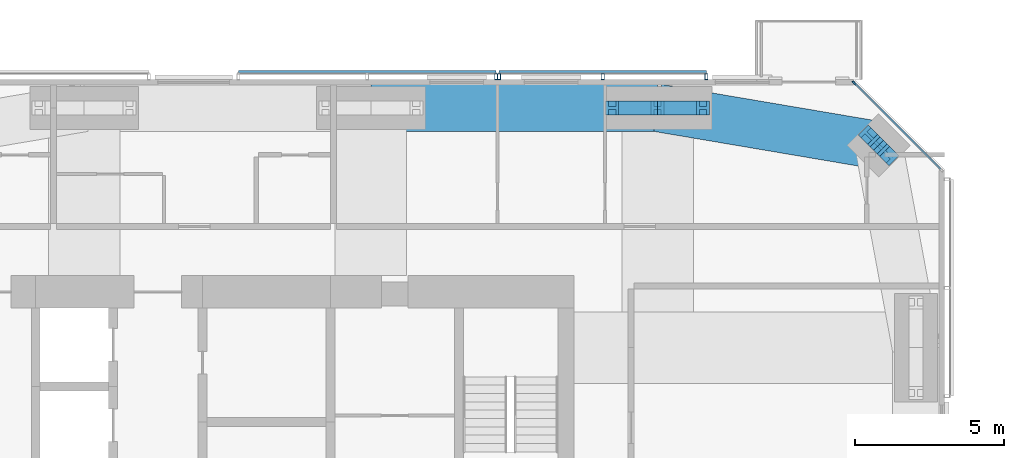
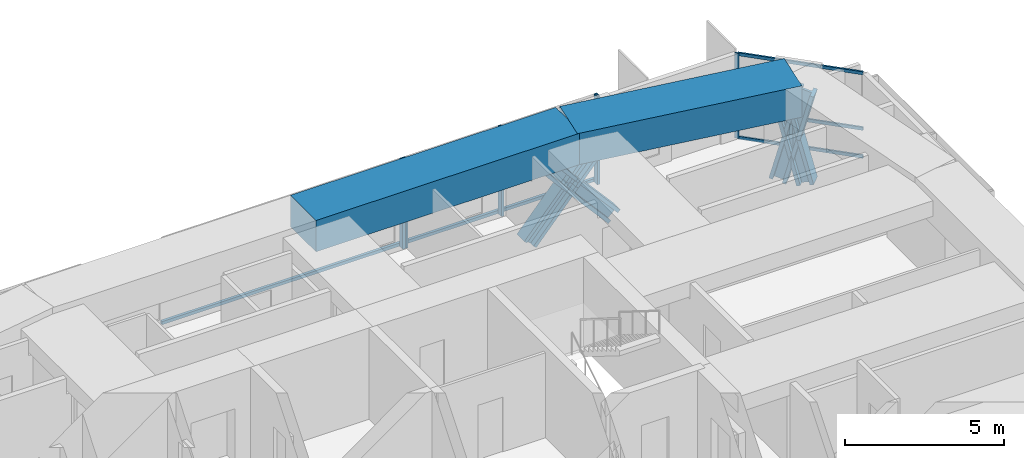
# One storey, part 10 of 18: 18 members, 2 beams, 3 elements without a shape of their own.
"""IFC4 building model written with IfcOpenShell, lengths in metres."""

from ifc_helpers import new_model, si_unit, direction, frame, origin, origin_2d, place, context, subcontext, project, spatial, rectangle, hollow_rectangle, i_section, extrude, material, material_profile, profile_set, type_object, element, aggregate, save


model = new_model("IFC4")

# Units and contexts
model_context = context("Model", 3, precision=1e-05, world=origin(), true_north=direction((0.0, 1.0)))
body_context = subcontext(model_context, "Body", "Model", "MODEL_VIEW")
ifc_project = project(units=[si_unit("LENGTHUNIT", "METRE"), si_unit("AREAUNIT", "SQUARE_METRE"), si_unit("VOLUMEUNIT", "CUBIC_METRE"), si_unit("PLANEANGLEUNIT", "RADIAN"), si_unit("MASSUNIT", "GRAM", prefix="KILO")], contexts=[model_context])

# Site, building, storey
site_placement = place(None, origin())
site = spatial("IfcSite", under=ifc_project, at=site_placement, CompositionType="ELEMENT")
building_placement = place(site_placement, origin())
building = spatial("IfcBuilding", under=site, at=building_placement, Name="Jalousie Tower", CompositionType="ELEMENT")
storey_placement = place(building_placement, frame((0.0, 0.0, 228.449951171875)))
storey = spatial("IfcBuildingStorey", under=building, at=storey_placement, Name="L62", CompositionType="ELEMENT", Elevation=228.449951171875)

# Curtain wall, members
ifc_material_1 = material(Name="Aluminium curtain wall", Category="aluminium")
curtain_wall_type_1 = type_object("IfcCurtainWallType", Name="CORNER WINDOW WALL", PredefinedType="USERDEFINED", material=ifc_material_1)
curtain_wall_1_placement = place(storey_placement, origin())
curtain_wall_1 = element("IfcCurtainWall", 1, at=curtain_wall_1_placement, inside=storey, type_object=curtain_wall_type_1, Name="Corner Window Wall L62 4", ObjectType="CORNER WINDOW WALL", PredefinedType="USERDEFINED")
ifc_material_2 = material(Name="Aluminium mullion", Category="aluminium")
ifc_material_profile_1 = material_profile(ifc_material_2, rectangle(XDim=0.06005859375, YDim=0.14990234375, at=origin_2d()), Name="MULLION 60x150")
ifc_profile_set_1 = profile_set([ifc_material_profile_1], Name="Aluminium mullion")
member_type_1 = type_object("IfcMemberType", Name="CORNER WINDOW WALL MULLION", PredefinedType="MULLION", material=ifc_profile_set_1)
member_1_placement = place(storey_placement, frame((53.469970703125, 33.891357421875, 0.0), z_axis=(0.0, 0.0, 1.0), x_axis=(-0.707106781187, -0.707106781187, 0.0)))
member_1 = element("IfcMember", 2, at=member_1_placement, type_object=member_type_1, Name="CW-C mullion 2", PredefinedType="MULLION", context=body_context, shape_type="SweptSolid", body=[
    extrude(rectangle(XDim=0.06005859375, YDim=0.14990234375, at=origin_2d()), origin(), (0.0, 0.0, 1.0), 3.260009765625),
])
ifc_material_3 = material(Name="Aluminium transom", Category="aluminium")
ifc_material_profile_2 = material_profile(ifc_material_3, rectangle(XDim=0.06005859375, YDim=0.1201171875, at=origin_2d()), Name="TRANSOM 60x120")
ifc_profile_set_2 = profile_set([ifc_material_profile_2], Name="Aluminium transom")
member_type_2 = type_object("IfcMemberType", Name="CORNER WINDOW WALL TRANSOM", PredefinedType="USERDEFINED", material=ifc_profile_set_2)
member_2_placement = place(storey_placement, frame((56.3701171875, 30.9912109375, 0.030029296875), z_axis=(-0.707106781187, 0.707106781187, 0.0), x_axis=(-0.707106781187, -0.707106781187, 0.0)))
member_2 = element("IfcMember", 3, at=member_2_placement, type_object=member_type_2, Name="CW-C transom 1.1", ObjectType="TRANSOM", PredefinedType="USERDEFINED", context=body_context, shape_type="SweptSolid", body=[
    extrude(rectangle(XDim=0.06005859375, YDim=0.1201171875, at=origin_2d()), origin(), (0.0, 0.0, 1.0), 4.0712890625),
])
member_3_placement = place(storey_placement, frame((56.3701171875, 30.9912109375, 1.10009765625), z_axis=(-0.707106781187, 0.707106781187, 0.0), x_axis=(-0.707106781187, -0.707106781187, 0.0)))
member_3 = element("IfcMember", 4, at=member_3_placement, type_object=member_type_2, Name="CW-C transom 1.2", ObjectType="TRANSOM", PredefinedType="USERDEFINED", context=body_context, shape_type="SweptSolid", body=[
    extrude(rectangle(XDim=0.06005859375, YDim=0.1201171875, at=origin_2d()), origin(), (0.0, 0.0, 1.0), 4.0712890625),
])
member_4_placement = place(storey_placement, frame((56.3701171875, 30.9912109375, 3.22998046875), z_axis=(-0.707106781187, 0.707106781187, 0.0), x_axis=(-0.707106781187, -0.707106781187, 0.0)))
member_4 = element("IfcMember", 5, at=member_4_placement, type_object=member_type_2, Name="CW-C transom 1.3", ObjectType="TRANSOM", PredefinedType="USERDEFINED", context=body_context, shape_type="SweptSolid", body=[
    extrude(rectangle(XDim=0.06005859375, YDim=0.1201171875, at=origin_2d()), origin(), (0.0, 0.0, 1.0), 4.0712890625),
])
aggregate(curtain_wall_1, [member_1, member_2, member_3, member_4])

# Members
ifc_material_4 = material(Name="Steel ASTM A992 Grade 50", Category="steel")
ifc_material_profile_3 = material_profile(ifc_material_4, i_section(OverallWidth=0.472412109375, OverallDepth=0.5791015625, WebThickness=0.094970703125, FlangeThickness=0.1298828125, at=origin_2d()), Name="W14X808")
ifc_profile_set_3 = profile_set([ifc_material_profile_3], Name="Steel ASTM A992 Grade 50")
member_type_3 = type_object("IfcMemberType", Name="PERIMETER BRACE W14X808", PredefinedType="BRACE", material=ifc_profile_set_3)
for number, where, z_axis, x_axis, name in (
    (6, (54.611083984375, 31.474609375, -0.599853515625), (-0.176051427143, 0.17618653952, 0.968485517854), (-0.707377963048, -0.706835495285, 0.0), "Perimeter brace 08 L62 part 1"),
    (7, (54.29296875, 31.79296875, 1.150146484375), (-0.17618653952, 0.176051427143, 0.968485517854), (-0.706835495285, -0.707377963048, 0.0), "Perimeter brace 08 L62 part 2"),
    (8, (53.974609375, 32.111083984375, -0.599853515625), (0.17618653952, -0.176051427143, 0.968485517854), (0.706835495285, 0.707377963048, 0.0), "Perimeter brace 08 L62 part 3"),
    (9, (54.29296875, 31.79296875, 1.150146484375), (0.176051427143, -0.17618653952, 0.968485517854), (0.707377963048, 0.706835495285, 0.0), "Perimeter brace 08 L62 part 4"),
):
    element("IfcMember", number, at=place(storey_placement, frame(where, z_axis=z_axis, x_axis=x_axis)), inside=storey, type_object=member_type_3, Name=name, PredefinedType="BRACE", context=body_context, shape_type="SweptSolid", body=[
        extrude(i_section(OverallWidth=0.472412109375, OverallDepth=0.5791015625, WebThickness=0.094970703125, FlangeThickness=0.1298828125, at=origin_2d()), origin(), (0.0, 0.0, 1.0), 1.806884765625),
    ])
for number, where, z_axis, x_axis, name in (
    (10, (45.35009765625, 33.050048828125, -0.599853515625), (0.65695436777, 0.0, 0.753930340726), (0.0, 1.0, 0.0), "Perimeter brace 09 L62 part 1"),
    (11, (46.875, 33.050048828125, 1.150146484375), (0.65695436777, 0.0, 0.753930340726), (0.0, 1.0, 0.0), "Perimeter brace 09 L62 part 2"),
    (12, (48.39990234375, 33.050048828125, -0.599853515625), (-0.65695436777, 0.0, 0.753930340726), (0.0, -1.0, 0.0), "Perimeter brace 09 L62 part 3"),
    (13, (46.875, 33.050048828125, 1.150146484375), (-0.65695436777, 0.0, 0.753930340726), (0.0, -1.0, 0.0), "Perimeter brace 09 L62 part 4"),
):
    element("IfcMember", number, at=place(storey_placement, frame(where, z_axis=z_axis, x_axis=x_axis)), inside=storey, type_object=member_type_3, Name=name, PredefinedType="BRACE", context=body_context, shape_type="SweptSolid", body=[
        extrude(i_section(OverallWidth=0.472412109375, OverallDepth=0.5791015625, WebThickness=0.094970703125, FlangeThickness=0.1298828125, at=origin_2d()), origin(), (0.0, 0.0, 1.0), 2.3212890625),
    ])

# Beams
ifc_material_5 = material(Name="Concrete f'c 40 MPa", Category="concrete")
ifc_material_profile_4 = material_profile(ifc_material_5, rectangle(XDim=1.60009765625, YDim=1.199951171875, at=origin_2d()), Name="RC 1600x1200")
ifc_profile_set_4 = profile_set([ifc_material_profile_4], Name="Concrete f'c 40 MPa")
beam_type = type_object("IfcBeamType", Name="RC BEAM 1600x1200", PredefinedType="BEAM", material=ifc_profile_set_4)
beam_1_placement = place(storey_placement, frame((54.29296875, 31.79296875, 2.900146484375), z_axis=(-0.985942997446, 0.167082033105, 0.0), x_axis=(-0.167082033105, -0.985942997446, 0.0)))
element("IfcBeam", 14, at=beam_1_placement, inside=storey, type_object=beam_type, Name="Edge band beam 08-09 under L63", PredefinedType="BEAM", context=body_context, shape_type="SweptSolid", body=[
    extrude(rectangle(XDim=1.60009765625, YDim=1.199951171875, at=origin_2d()), origin(), (0.0, 0.0, 1.0), 7.523681640625),
])
beam_2_placement = place(storey_placement, frame((46.875, 33.050048828125, 2.900146484375), z_axis=(-1.0, 0.0, 0.0), x_axis=(0.0, -1.0, 0.0)))
element("IfcBeam", 15, at=beam_2_placement, inside=storey, type_object=beam_type, Name="Edge band beam 09-10 under L63", PredefinedType="BEAM", context=body_context, shape_type="SweptSolid", body=[
    extrude(rectangle(XDim=1.60009765625, YDim=1.199951171875, at=origin_2d()), origin(), (0.0, 0.0, 1.0), 9.625),
])

# Curtain wall, members
ifc_material_6 = material(Name="Perforated aluminium sheet", Category="aluminium")
curtain_wall_type_2 = type_object("IfcCurtainWallType", Name="SOLAR SCREEN SS-2", PredefinedType="USERDEFINED", material=ifc_material_6)
curtain_wall_2_placement = place(storey_placement, origin())
curtain_wall_2 = element("IfcCurtainWall", 16, at=curtain_wall_2_placement, inside=storey, type_object=curtain_wall_type_2, Name="Solar screen L62", ObjectType="SOLAR SCREEN SS-2", PredefinedType="USERDEFINED")
ifc_material_7 = material(Name="Steel ASTM A500 Grade C", Category="steel")
ifc_material_profile_5 = material_profile(ifc_material_7, hollow_rectangle(XDim=0.1015625, YDim=0.203125, WallThickness=0.0078125, at=origin_2d()), Name="HSS8X4X5/16")
ifc_profile_set_5 = profile_set([ifc_material_profile_5], Name="Steel ASTM A500 Grade C")
member_type_4 = type_object("IfcMemberType", Name="SOLAR SCREEN SS-2 MULLION", PredefinedType="MULLION", material=ifc_profile_set_5)
member_5_placement = place(storey_placement, frame((48.513427734375, 34.0966796875, -0.119873046875), z_axis=(0.0, 0.0, 1.0), x_axis=(-1.0, 0.0, 0.0)))
member_5 = element("IfcMember", 17, at=member_5_placement, type_object=member_type_4, Name="SS2 post 1", PredefinedType="MULLION", context=body_context, shape_type="SweptSolid", body=[
    extrude(hollow_rectangle(XDim=0.1015625, YDim=0.203125, WallThickness=0.0078125, at=origin_2d()), origin(), (0.0, 0.0, 1.0), 3.3798828125),
])
member_6_placement = place(storey_placement, frame((45.03173828125, 34.0966796875, -0.119873046875), z_axis=(0.0, 0.0, 1.0), x_axis=(-1.0, 0.0, 0.0)))
member_6 = element("IfcMember", 18, at=member_6_placement, type_object=member_type_4, Name="SS2 post 2", PredefinedType="MULLION", context=body_context, shape_type="SweptSolid", body=[
    extrude(hollow_rectangle(XDim=0.1015625, YDim=0.203125, WallThickness=0.0078125, at=origin_2d()), origin(), (0.0, 0.0, 1.0), 3.3798828125),
])
member_7_placement = place(storey_placement, frame((41.550048828125, 34.0966796875, -0.119873046875), z_axis=(0.0, 0.0, 1.0), x_axis=(-1.0, 0.0, 0.0)))
member_7 = element("IfcMember", 19, at=member_7_placement, type_object=member_type_4, Name="SS2 post 3", PredefinedType="MULLION", context=body_context, shape_type="SweptSolid", body=[
    extrude(hollow_rectangle(XDim=0.1015625, YDim=0.203125, WallThickness=0.0078125, at=origin_2d()), origin(), (0.0, 0.0, 1.0), 3.3798828125),
])

# Curtain wall, member
curtain_wall_3_placement = place(storey_placement, origin())
curtain_wall_3 = element("IfcCurtainWall", 20, at=curtain_wall_3_placement, inside=storey, type_object=curtain_wall_type_2, Name="Solar screen L62", ObjectType="SOLAR SCREEN SS-2", PredefinedType="USERDEFINED")
member_8_placement = place(storey_placement, frame((41.449951171875, 34.0966796875, -0.119873046875), z_axis=(0.0, 0.0, 1.0), x_axis=(-1.0, 0.0, 0.0)))
member_8 = element("IfcMember", 21, at=member_8_placement, type_object=member_type_4, Name="SS2 post 1", PredefinedType="MULLION", context=body_context, shape_type="SweptSolid", body=[
    extrude(hollow_rectangle(XDim=0.1015625, YDim=0.203125, WallThickness=0.0078125, at=origin_2d()), origin(), (0.0, 0.0, 1.0), 3.3798828125),
])

# Member
ifc_material_8 = material(Name="Extruded aluminium screen rail", Category="aluminium")
ifc_material_profile_6 = material_profile(ifc_material_8, rectangle(XDim=0.1015625, YDim=0.1201171875, at=origin_2d()), Name="RAIL 102x120")
ifc_profile_set_6 = profile_set([ifc_material_profile_6], Name="Extruded aluminium screen rail")
member_type_5 = type_object("IfcMemberType", Name="SOLAR SCREEN SS-2 TRANSOM", PredefinedType="USERDEFINED", material=ifc_profile_set_6)
member_9_placement = place(storey_placement, frame((48.513427734375, 34.2490234375, -0.06005859375), z_axis=(-1.0, 0.0, 0.0), x_axis=(0.0, -1.0, 0.0)))
member_9 = element("IfcMember", 22, at=member_9_placement, type_object=member_type_5, Name="SS2 rail", ObjectType="TRANSOM", PredefinedType="USERDEFINED", context=body_context, shape_type="SweptSolid", body=[
    extrude(rectangle(XDim=0.1015625, YDim=0.1201171875, at=origin_2d()), origin(), (0.0, 0.0, 1.0), 6.96337890625),
])

aggregate(curtain_wall_2, [member_5, member_6, member_7, member_9])

member_10_placement = place(storey_placement, frame((41.449951171875, 34.2490234375, -0.06005859375), z_axis=(-1.0, 0.0, 0.0), x_axis=(0.0, -1.0, 0.0)))
member_10 = element("IfcMember", 23, at=member_10_placement, type_object=member_type_5, Name="SS2 rail", ObjectType="TRANSOM", PredefinedType="USERDEFINED", context=body_context, shape_type="SweptSolid", body=[
    extrude(rectangle(XDim=0.1015625, YDim=0.1201171875, at=origin_2d()), origin(), (0.0, 0.0, 1.0), 8.64990234375),
])

aggregate(curtain_wall_3, [member_8, member_10])

save(model, "model.ifc")
